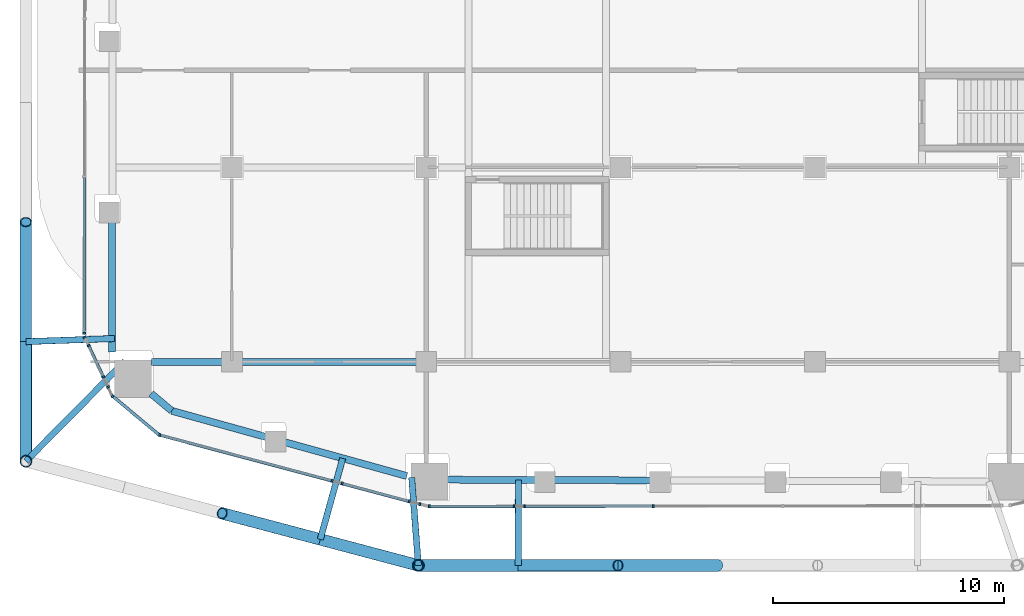
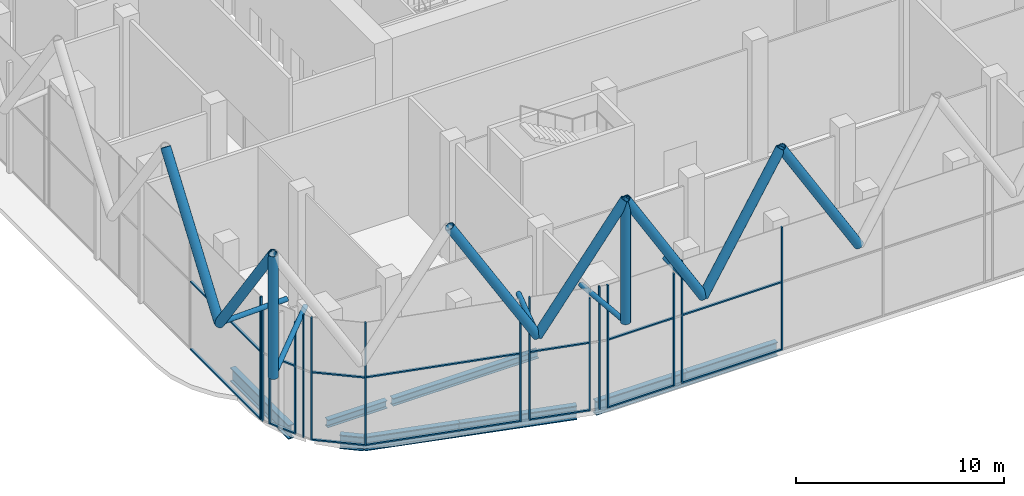
# One storey, part 2 of 34: 43 members, 8 beams, 14 elements without a shape of their own.
"""IFC4 building model written with IfcOpenShell, lengths in metres."""

from ifc_helpers import new_model, si_unit, direction, frame, origin, origin_2d, place, context, subcontext, project, spatial, rectangle, hollow_circle, i_section, extrude, material, layer, layer_set, material_profile, profile_set, type_object, element, aggregate, save


model = new_model("IFC4")

# Units and contexts
model_context = context("Model", 3, precision=1e-05, world=origin(), true_north=direction((0.0, 1.0)))
body_context = subcontext(model_context, "Body", "Model", "MODEL_VIEW")
ifc_project = project(units=[si_unit("LENGTHUNIT", "METRE"), si_unit("AREAUNIT", "SQUARE_METRE"), si_unit("VOLUMEUNIT", "CUBIC_METRE"), si_unit("PLANEANGLEUNIT", "RADIAN"), si_unit("MASSUNIT", "GRAM", prefix="KILO")], contexts=[model_context])

# Site, building, storey
site_placement = place(None, origin())
site = spatial("IfcSite", under=ifc_project, at=site_placement, CompositionType="ELEMENT")
building_placement = place(site_placement, origin())
building = spatial("IfcBuilding", under=site, at=building_placement, Name="Marenta Gate Hotel Tower", CompositionType="ELEMENT")
storey_placement = place(building_placement, frame((0.0, 0.0, 97.699951171875)))
storey = spatial("IfcBuildingStorey", under=building, at=storey_placement, Name="L21", CompositionType="ELEMENT", Elevation=97.699951171875)

# Members
ifc_material_1 = material(Name="Steel S355J2W", Category="steel")
ifc_material_profile_1 = material_profile(ifc_material_1, hollow_circle(Radius=0.25390625, WallThickness=0.02490234375, at=origin_2d()), Name="CHS 508x25")
ifc_profile_set_1 = profile_set([ifc_material_profile_1], Name="Steel S355J2W")
member_type_1 = type_object("IfcMemberType", Name="Diagrid corner post Z2 CHS 508x25", PredefinedType="POST", material=ifc_profile_set_1)
for number, where, z_axis, x_axis, name in (
    (1, (-12.93896484375, -25.60009765625, 6.739990234375), (0.0, 0.0, 1.0), (1.0, 0.0, 0.0), "L21-DR-4"),
    (2, (-29.89990234375, -21.10009765625, 6.739990234375), (0.0, 0.0, 1.0), (1.0, 0.0, 0.0), "L21-DR-5"),
):
    element("IfcMember", number, at=place(storey_placement, frame(where, z_axis=z_axis, x_axis=x_axis)), inside=storey, type_object=member_type_1, Name=name, PredefinedType="POST", context=body_context, shape_type="SweptSolid", body=[
        extrude(hollow_circle(Radius=0.25390625, WallThickness=0.02490234375, at=origin_2d()), origin(), (0.0, 0.0, 1.0), 7.199951171875),
    ])
ifc_material_2 = material(Name="Steel S355J2W", Category="steel")
ifc_material_profile_2 = material_profile(ifc_material_2, hollow_circle(Radius=0.25390625, WallThickness=0.0400390625, at=origin_2d()), Name="CHS 508x40")
ifc_profile_set_2 = profile_set([ifc_material_profile_2], Name="Steel S355J2W")
member_type_2 = type_object("IfcMemberType", Name="Diagrid diagonal Z2 CHS 508x40", PredefinedType="BRACE", material=ifc_profile_set_2)
for number, where, z_axis, x_axis, name in (
    (3, (0.0, -25.60009765625, 6.739990234375), (-0.513883902774, 0.0, 0.857859740558), (0.0, -1.0, 0.0), "L21-DG-18"),
    (4, (-8.6259765625, -25.60009765625, 6.739990234375), (0.513883902774, 0.0, 0.857859740558), (0.0, 1.0, 0.0), "L21-DG-19"),
    (5, (-8.6259765625, -25.60009765625, 6.739990234375), (-0.513883902774, 0.0, 0.857859740558), (0.0, -1.0, 0.0), "L21-DG-20"),
):
    element("IfcMember", number, at=place(storey_placement, frame(where, z_axis=z_axis, x_axis=x_axis)), inside=storey, type_object=member_type_2, Name=name, PredefinedType="BRACE", context=body_context, shape_type="SweptSolid", body=[
        extrude(hollow_circle(Radius=0.25390625, WallThickness=0.0400390625, at=origin_2d()), origin(), (0.0, 0.0, 1.0), 8.392822265625),
    ])
for number, where, z_axis, x_axis, name in (
    (6, (-17.17919921875, -24.47509765625, 6.739990234375), (0.502924018666, -0.133433548941, 0.853968921838), (0.256443187528, 0.96655930577, 0.0), "L21-DG-21"),
    (7, (-17.17919921875, -24.47509765625, 6.739990234375), (-0.502924018666, 0.133433548941, 0.853968921838), (-0.256443187528, -0.96655930577, 0.0), "L21-DG-22"),
):
    element("IfcMember", number, at=place(storey_placement, frame(where, z_axis=z_axis, x_axis=x_axis)), inside=storey, type_object=member_type_2, Name=name, PredefinedType="BRACE", context=body_context, shape_type="SweptSolid", body=[
        extrude(hollow_circle(Radius=0.25390625, WallThickness=0.0400390625, at=origin_2d()), origin(), (0.0, 0.0, 1.0), 8.43115234375),
    ])
member_1_placement = place(storey_placement, frame((-29.89990234375, -15.93017578125, 6.739990234375), z_axis=(0.0, -0.583260841117, 0.812284919975), x_axis=(1.0, 0.0, 0.0)))
element("IfcMember", 8, at=member_1_placement, inside=storey, type_object=member_type_2, Name="L21-DG-25", PredefinedType="BRACE", context=body_context, shape_type="SweptSolid", body=[
    extrude(hollow_circle(Radius=0.25390625, WallThickness=0.0400390625, at=origin_2d()), origin(), (0.0, 0.0, 1.0), 8.86376953125),
])
member_2_placement = place(storey_placement, frame((-29.89990234375, -15.93017578125, 6.739990234375), z_axis=(0.0, 0.583279014058, 0.812271870595), x_axis=(-1.0, 0.0, 0.0)))
element("IfcMember", 9, at=member_2_placement, inside=storey, type_object=member_type_2, Name="L21-DG-26", PredefinedType="BRACE", context=body_context, shape_type="SweptSolid", body=[
    extrude(hollow_circle(Radius=0.25390625, WallThickness=0.0400390625, at=origin_2d()), origin(), (0.0, 0.0, 1.0), 8.864013671875),
])

# Beams
ifc_material_3 = material(Name="Steel S355", Category="steel")
ifc_material_profile_3 = material_profile(ifc_material_3, i_section(OverallWidth=0.302978515625, OverallDepth=0.81396484375, WebThickness=0.030029296875, FlangeThickness=0.052001953125, FilletRadius=0.030029296875, at=origin_2d()), Name="HEM 800")
ifc_profile_set_3 = profile_set([ifc_material_profile_3], Name="Steel S355")
beam_type_1 = type_object("IfcBeamType", Name="Edge beam HEM 800", PredefinedType="SPANDREL", material=ifc_profile_set_3)
beam_1_placement = place(storey_placement, frame((-13.4365234375, -21.736572265625, -0.6669921875), z_axis=(-0.963628016524, 0.267247162324, 0.0), x_axis=(-0.267247162324, -0.963628016524, 0.0)))
element("IfcBeam", 10, at=beam_1_placement, inside=storey, type_object=beam_type_1, Name="L21-EB-1", PredefinedType="SPANDREL", context=body_context, shape_type="SweptSolid", body=[
    extrude(i_section(OverallWidth=0.302978515625, OverallDepth=0.81396484375, WebThickness=0.030029296875, FlangeThickness=0.052001953125, FilletRadius=0.030029296875, at=origin_2d()), origin(), (0.0, 0.0, 1.0), 5.904296875),
])
beam_2_placement = place(storey_placement, frame((-19.048828125, -20.18017578125, -0.6669921875), z_axis=(-0.96362084747, 0.267273010837, 0.0), x_axis=(-0.267273010837, -0.96362084747, 0.0)))
element("IfcBeam", 11, at=beam_2_placement, inside=storey, type_object=beam_type_1, Name="L21-EB-2", PredefinedType="SPANDREL", context=body_context, shape_type="SweptSolid", body=[
    extrude(i_section(OverallWidth=0.302978515625, OverallDepth=0.81396484375, WebThickness=0.030029296875, FlangeThickness=0.052001953125, FilletRadius=0.030029296875, at=origin_2d()), origin(), (0.0, 0.0, 1.0), 4.7197265625),
])
beam_3_placement = place(storey_placement, frame((-23.596923828125, -18.918701171875, -0.6669921875), z_axis=(-0.767073132856, 0.641559668972, 0.0), x_axis=(-0.641559668972, -0.767073132856, 0.0)))
element("IfcBeam", 12, at=beam_3_placement, inside=storey, type_object=beam_type_1, Name="L21-EB-3", PredefinedType="SPANDREL", context=body_context, shape_type="SweptSolid", body=[
    extrude(i_section(OverallWidth=0.302978515625, OverallDepth=0.81396484375, WebThickness=0.030029296875, FlangeThickness=0.052001953125, FilletRadius=0.030029296875, at=origin_2d()), origin(), (0.0, 0.0, 1.0), 1.1689453125),
])
beam_4_placement = place(storey_placement, frame((-26.17626953125, -16.382568359375, -0.6669921875), z_axis=(0.001389973464, 0.999999033986, 0.0), x_axis=(-0.999999033986, 0.001389973464, 0.0)))
element("IfcBeam", 13, at=beam_4_placement, inside=storey, type_object=beam_type_1, Name="L21-EB-4", PredefinedType="SPANDREL", context=body_context, shape_type="SweptSolid", body=[
    extrude(i_section(OverallWidth=0.302978515625, OverallDepth=0.81396484375, WebThickness=0.030029296875, FlangeThickness=0.052001953125, FilletRadius=0.030029296875, at=origin_2d()), origin(), (0.0, 0.0, 1.0), 5.62060546875),
])
beam_5_placement = place(storey_placement, frame((-2.453125, -21.9248046875, -0.6669921875), z_axis=(-0.9999947886, 0.003228432074, 0.0), x_axis=(-0.003228432074, -0.9999947886, 0.0)))
element("IfcBeam", 14, at=beam_5_placement, inside=storey, type_object=beam_type_1, Name="L21-EB-33", PredefinedType="SPANDREL", context=body_context, shape_type="SweptSolid", body=[
    extrude(i_section(OverallWidth=0.302978515625, OverallDepth=0.81396484375, WebThickness=0.030029296875, FlangeThickness=0.052001953125, FilletRadius=0.030029296875, at=origin_2d()), origin(), (0.0, 0.0, 1.0), 5.066650390625),
])
beam_6_placement = place(storey_placement, frame((-7.439697265625, -21.90869140625, -0.6669921875), z_axis=(-0.999994942514, 0.003180400261, 0.0), x_axis=(-0.003180400261, -0.999994942514, 0.0)))
element("IfcBeam", 15, at=beam_6_placement, inside=storey, type_object=beam_type_1, Name="L21-EB-34", PredefinedType="SPANDREL", context=body_context, shape_type="SweptSolid", body=[
    extrude(i_section(OverallWidth=0.302978515625, OverallDepth=0.81396484375, WebThickness=0.030029296875, FlangeThickness=0.052001953125, FilletRadius=0.030029296875, at=origin_2d()), origin(), (0.0, 0.0, 1.0), 5.06640625),
])

# Members
ifc_material_4 = material(Name="Steel S355J2W", Category="steel")
ifc_material_profile_4 = material_profile(ifc_material_4, hollow_circle(Radius=0.136474609375, WallThickness=0.012451171875, at=origin_2d()), Name="CHS 273x12.5")
ifc_profile_set_4 = profile_set([ifc_material_profile_4], Name="Steel S355J2W")
member_type_3 = type_object("IfcMemberType", Name="Floor tie CHS 273x12.5", PredefinedType="STRUT", material=ifc_profile_set_4)
member_3_placement = place(storey_placement, frame((-8.6259765625, -25.60009765625, 6.739990234375), z_axis=(0.003177318972, 0.999994952309, 0.0), x_axis=(-0.999994952309, 0.003177318972, 0.0)))
element("IfcMember", 16, at=member_3_placement, inside=storey, type_object=member_type_3, Name="L21-DR-15", PredefinedType="STRUT", context=body_context, shape_type="SweptSolid", body=[
    extrude(hollow_circle(Radius=0.136474609375, WallThickness=0.012451171875, at=origin_2d()), origin(), (0.0, 0.0, 1.0), 3.688232421875),
])
member_4_placement = place(storey_placement, frame((-12.93896484375, -25.60009765625, 6.739990234375), z_axis=(-0.075691735753, 0.997131265751, 0.0), x_axis=(-0.997131265751, -0.075691735753, 0.0)))
element("IfcMember", 17, at=member_4_placement, inside=storey, type_object=member_type_3, Name="L21-DR-16", PredefinedType="STRUT", context=body_context, shape_type="SweptSolid", body=[
    extrude(hollow_circle(Radius=0.136474609375, WallThickness=0.012451171875, at=origin_2d()), origin(), (0.0, 0.0, 1.0), 3.809326171875),
])
member_5_placement = place(storey_placement, frame((-17.17919921875, -24.47509765625, 6.739990234375), z_axis=(0.26723825199, 0.963630487621, 0.0), x_axis=(-0.963630487621, 0.26723825199, 0.0)))
element("IfcMember", 18, at=member_5_placement, inside=storey, type_object=member_type_3, Name="L21-DR-17", PredefinedType="STRUT", context=body_context, shape_type="SweptSolid", body=[
    extrude(hollow_circle(Radius=0.136474609375, WallThickness=0.012451171875, at=origin_2d()), origin(), (0.0, 0.0, 1.0), 3.63232421875),
])
member_6_placement = place(storey_placement, frame((-29.89990234375, -21.10009765625, 6.739990234375), z_axis=(0.703467207322, 0.710727717359, 0.0), x_axis=(-0.710727717359, 0.703467207322, 0.0)))
element("IfcMember", 19, at=member_6_placement, inside=storey, type_object=member_type_3, Name="L21-DR-18", PredefinedType="STRUT", context=body_context, shape_type="SweptSolid", body=[
    extrude(hollow_circle(Radius=0.136474609375, WallThickness=0.012451171875, at=origin_2d()), origin(), (0.0, 0.0, 1.0), 6.086181640625),
])
member_7_placement = place(storey_placement, frame((-29.89990234375, -15.93017578125, 6.739990234375), z_axis=(0.999365777603, 0.035609585179, 0.0), x_axis=(-0.035609585179, 0.999365777603, 0.0)))
element("IfcMember", 20, at=member_7_placement, inside=storey, type_object=member_type_3, Name="L21-DR-19", PredefinedType="STRUT", context=body_context, shape_type="SweptSolid", body=[
    extrude(hollow_circle(Radius=0.136474609375, WallThickness=0.012451171875, at=origin_2d()), origin(), (0.0, 0.0, 1.0), 3.82568359375),
])

# Beams
ifc_material_5 = material(Name="Steel S355", Category="steel")
ifc_material_profile_5 = material_profile(ifc_material_5, i_section(OverallWidth=0.300048828125, OverallDepth=0.449951171875, WebThickness=0.013916015625, FlangeThickness=0.02587890625, FilletRadius=0.027099609375, at=origin_2d()), Name="HEB 450")
ifc_profile_set_5 = profile_set([ifc_material_profile_5], Name="Steel S355")
beam_type_2 = type_object("IfcBeamType", Name="Girder HEB 450", PredefinedType="BEAM", material=ifc_profile_set_5)
beam_7_placement = place(storey_placement, frame((-24.462890625, -16.800048828125, -0.48486328125), z_axis=(1.0, 0.0, 0.0), x_axis=(0.0, 1.0, 0.0)))
element("IfcBeam", 21, at=beam_7_placement, inside=storey, type_object=beam_type_2, Name="L21-GD-1", PredefinedType="BEAM", context=body_context, shape_type="SweptSolid", body=[
    extrude(i_section(OverallWidth=0.300048828125, OverallDepth=0.449951171875, WebThickness=0.013916015625, FlangeThickness=0.02587890625, FilletRadius=0.027099609375, at=origin_2d()), origin(), (0.0, 0.0, 1.0), 3.311279296875),
])
beam_8_placement = place(storey_placement, frame((-20.848388671875, -16.800048828125, -0.48486328125), z_axis=(1.0, 0.0, 0.0), x_axis=(0.0, 1.0, 0.0)))
element("IfcBeam", 22, at=beam_8_placement, inside=storey, type_object=beam_type_2, Name="L21-GD-2", PredefinedType="BEAM", context=body_context, shape_type="SweptSolid", body=[
    extrude(i_section(OverallWidth=0.300048828125, OverallDepth=0.449951171875, WebThickness=0.013916015625, FlangeThickness=0.02587890625, FilletRadius=0.027099609375, at=origin_2d()), origin(), (0.0, 0.0, 1.0), 8.096923828125),
])

# Curtain wall, member
ifc_material_6 = material(Name="Tinted insulated glass in bronze anodised frame", Category="glass")
ifc_layer = layer(ifc_material_6, 0.1298828125)
ifc_layer_set = layer_set([ifc_layer], Name="Tinted insulated glass in bronze anodised frame")
curtain_wall_type = type_object("IfcCurtainWallType", Name="Sky lobby glazing CW2", PredefinedType="NOTDEFINED", material=ifc_layer_set)
curtain_wall_1_placement = place(storey_placement, origin())
curtain_wall_1 = element("IfcCurtainWall", 23, at=curtain_wall_1_placement, inside=storey, type_object=curtain_wall_type, Name="CW2 run G08", PredefinedType="NOTDEFINED")
ifc_material_7 = material(Name="Bronze anodised aluminium", Category="aluminium")
ifc_material_profile_6 = material_profile(ifc_material_7, rectangle(XDim=0.1298828125, YDim=0.080078125, at=origin_2d()), Name="Mullion CW2 80x130 bronze anodised aluminium")
ifc_profile_set_6 = profile_set([ifc_material_profile_6], Name="Bronze anodised aluminium")
member_type_4 = type_object("IfcMemberType", Name="Mullion CW2 80x130 bronze anodised aluminium", PredefinedType="MULLION", material=ifc_profile_set_6)
member_8_placement = place(storey_placement, frame((-27.3779296875, -15.573486328125, 0.0), z_axis=(0.0, 0.0, 1.0), x_axis=(0.999998775523, -0.001564912707, 0.0)))
member_8 = element("IfcMember", 24, at=member_8_placement, type_object=member_type_4, Name="CW2 mullion 4", PredefinedType="MULLION", context=body_context, shape_type="SweptSolid", body=[
    extrude(rectangle(XDim=0.1298828125, YDim=0.080078125, at=origin_2d()), origin(), (0.0, 0.0, 1.0), 7.199951171875),
])

curtain_wall_2_placement = place(storey_placement, origin())
curtain_wall_2 = element("IfcCurtainWall", 25, at=curtain_wall_2_placement, inside=storey, type_object=curtain_wall_type, Name="CW2 run G09", PredefinedType="NOTDEFINED")
member_9_placement = place(storey_placement, frame((-27.361083984375, -15.731201171875, 0.0), z_axis=(0.0, 0.0, 1.0), x_axis=(0.906043917281, 0.423183671659, 0.0)))
member_9 = element("IfcMember", 26, at=member_9_placement, type_object=member_type_4, Name="CW2 mullion 1", PredefinedType="MULLION", context=body_context, shape_type="SweptSolid", body=[
    extrude(rectangle(XDim=0.1298828125, YDim=0.080078125, at=origin_2d()), origin(), (0.0, 0.0, 1.0), 6.6005859375),
])
aggregate(curtain_wall_2, [member_9])

curtain_wall_3_placement = place(storey_placement, origin())
curtain_wall_3 = element("IfcCurtainWall", 27, at=curtain_wall_3_placement, inside=storey, type_object=curtain_wall_type, Name="CW2 run G10", PredefinedType="NOTDEFINED")
member_10_placement = place(storey_placement, frame((-27.190185546875, -16.096923828125, 0.0), z_axis=(0.0, 0.0, 1.0), x_axis=(0.905962880833, 0.423357128857, 0.0)))
member_10 = element("IfcMember", 28, at=member_10_placement, type_object=member_type_4, Name="CW2 mullion 1", PredefinedType="MULLION", context=body_context, shape_type="SweptSolid", body=[
    extrude(rectangle(XDim=0.1298828125, YDim=0.080078125, at=origin_2d()), origin(), (0.0, 0.0, 1.0), 7.199951171875),
])

curtain_wall_4_placement = place(storey_placement, origin())
curtain_wall_4 = element("IfcCurtainWall", 29, at=curtain_wall_4_placement, inside=storey, type_object=curtain_wall_type, Name="CW2 run G11", PredefinedType="NOTDEFINED")
member_11_placement = place(storey_placement, frame((-26.556396484375, -17.453369140625, 0.0), z_axis=(0.0, 0.0, 1.0), x_axis=(0.905960772222, 0.423361641148, 0.0)))
member_11 = element("IfcMember", 30, at=member_11_placement, type_object=member_type_4, Name="CW2 mullion 1", PredefinedType="MULLION", context=body_context, shape_type="SweptSolid", body=[
    extrude(rectangle(XDim=0.1298828125, YDim=0.080078125, at=origin_2d()), origin(), (0.0, 0.0, 1.0), 6.6005859375),
])
aggregate(curtain_wall_4, [member_11])

curtain_wall_5_placement = place(storey_placement, origin())
curtain_wall_5 = element("IfcCurtainWall", 31, at=curtain_wall_5_placement, inside=storey, type_object=curtain_wall_type, Name="CW2 run G12", PredefinedType="NOTDEFINED")
member_12_placement = place(storey_placement, frame((-26.35205078125, -17.890625, 0.0), z_axis=(0.0, 0.0, 1.0), x_axis=(0.905892353696, 0.423508020603, 0.0)))
member_12 = element("IfcMember", 32, at=member_12_placement, type_object=member_type_4, Name="CW2 mullion 1", PredefinedType="MULLION", context=body_context, shape_type="SweptSolid", body=[
    extrude(rectangle(XDim=0.1298828125, YDim=0.080078125, at=origin_2d()), origin(), (0.0, 0.0, 1.0), 7.199951171875),
])
aggregate(curtain_wall_5, [member_12])

curtain_wall_6_placement = place(storey_placement, origin())
curtain_wall_6 = element("IfcCurtainWall", 33, at=curtain_wall_6_placement, inside=storey, type_object=curtain_wall_type, Name="CW2 run G13", PredefinedType="NOTDEFINED")
member_13_placement = place(storey_placement, frame((-26.1484375, -18.286376953125, 0.0), z_axis=(0.0, 0.0, 1.0), x_axis=(0.641529646876, 0.767098241544, 0.0)))
member_13 = element("IfcMember", 34, at=member_13_placement, type_object=member_type_4, Name="CW2 mullion 1", PredefinedType="MULLION", context=body_context, shape_type="SweptSolid", body=[
    extrude(rectangle(XDim=0.1298828125, YDim=0.080078125, at=origin_2d()), origin(), (0.0, 0.0, 1.0), 7.199951171875),
])

curtain_wall_7_placement = place(storey_placement, origin())
curtain_wall_7 = element("IfcCurtainWall", 35, at=curtain_wall_7_placement, inside=storey, type_object=curtain_wall_type, Name="CW2 run G14", PredefinedType="NOTDEFINED")
member_14_placement = place(storey_placement, frame((-24.116943359375, -19.963134765625, 0.0), z_axis=(0.0, 0.0, 1.0), x_axis=(0.25713836611, 0.966374596455, 0.0)))
member_14 = element("IfcMember", 36, at=member_14_placement, type_object=member_type_4, Name="CW2 mullion 1", PredefinedType="MULLION", context=body_context, shape_type="SweptSolid", body=[
    extrude(rectangle(XDim=0.1298828125, YDim=0.080078125, at=origin_2d()), origin(), (0.0, 0.0, 1.0), 7.199951171875),
])

curtain_wall_8_placement = place(storey_placement, origin())
curtain_wall_8 = element("IfcCurtainWall", 37, at=curtain_wall_8_placement, inside=storey, type_object=curtain_wall_type, Name="CW2 run G15", PredefinedType="NOTDEFINED")
member_15_placement = place(storey_placement, frame((-16.6708984375, -21.9443359375, 0.0), z_axis=(0.0, 0.0, 1.0), x_axis=(0.257154287199, 0.966370359942, 0.0)))
member_15 = element("IfcMember", 38, at=member_15_placement, type_object=member_type_4, Name="CW2 mullion 1", PredefinedType="MULLION", context=body_context, shape_type="SweptSolid", body=[
    extrude(rectangle(XDim=0.1298828125, YDim=0.080078125, at=origin_2d()), origin(), (0.0, 0.0, 1.0), 6.6005859375),
])
aggregate(curtain_wall_8, [member_15])

curtain_wall_9_placement = place(storey_placement, origin())
curtain_wall_9 = element("IfcCurtainWall", 39, at=curtain_wall_9_placement, inside=storey, type_object=curtain_wall_type, Name="CW2 run G16", PredefinedType="NOTDEFINED")
member_16_placement = place(storey_placement, frame((-16.233154296875, -22.060791015625, 0.0), z_axis=(0.0, 0.0, 1.0), x_axis=(0.25714940223, 0.966371659835, 0.0)))
member_16 = element("IfcMember", 40, at=member_16_placement, type_object=member_type_4, Name="CW2 mullion 1", PredefinedType="MULLION", context=body_context, shape_type="SweptSolid", body=[
    extrude(rectangle(XDim=0.1298828125, YDim=0.080078125, at=origin_2d()), origin(), (0.0, 0.0, 1.0), 7.199951171875),
])

curtain_wall_10_placement = place(storey_placement, origin())
curtain_wall_10 = element("IfcCurtainWall", 41, at=curtain_wall_10_placement, inside=storey, type_object=curtain_wall_type, Name="CW2 run G17", PredefinedType="NOTDEFINED")
member_17_placement = place(storey_placement, frame((-13.33837890625, -22.831298828125, 0.0), z_axis=(0.0, 0.0, 1.0), x_axis=(0.257026845764, 0.966404263523, 0.0)))
member_17 = element("IfcMember", 42, at=member_17_placement, type_object=member_type_4, Name="CW2 mullion 1", PredefinedType="MULLION", context=body_context, shape_type="SweptSolid", body=[
    extrude(rectangle(XDim=0.1298828125, YDim=0.080078125, at=origin_2d()), origin(), (0.0, 0.0, 1.0), 6.6005859375),
])
aggregate(curtain_wall_10, [member_17])

curtain_wall_11_placement = place(storey_placement, origin())
curtain_wall_11 = element("IfcCurtainWall", 43, at=curtain_wall_11_placement, inside=storey, type_object=curtain_wall_type, Name="CW2 run G18", PredefinedType="NOTDEFINED")
member_18_placement = place(storey_placement, frame((-12.874755859375, -22.95458984375, 0.0), z_axis=(0.0, 0.0, 1.0), x_axis=(0.257204389139, 0.966357026263, 0.0)))
member_18 = element("IfcMember", 44, at=member_18_placement, type_object=member_type_4, Name="CW2 mullion 1", PredefinedType="MULLION", context=body_context, shape_type="SweptSolid", body=[
    extrude(rectangle(XDim=0.1298828125, YDim=0.080078125, at=origin_2d()), origin(), (0.0, 0.0, 1.0), 7.199951171875),
])
aggregate(curtain_wall_11, [member_18])

curtain_wall_12_placement = place(storey_placement, origin())
curtain_wall_12 = element("IfcCurtainWall", 45, at=curtain_wall_12_placement, inside=storey, type_object=curtain_wall_type, Name="CW2 run G19", PredefinedType="NOTDEFINED")
member_19_placement = place(storey_placement, frame((-12.466552734375, -23.052490234375, 0.0), z_axis=(0.0, 0.0, 1.0), x_axis=(-0.001365298271, 0.99999906798, 0.0)))
member_19 = element("IfcMember", 46, at=member_19_placement, type_object=member_type_4, Name="CW2 mullion 1", PredefinedType="MULLION", context=body_context, shape_type="SweptSolid", body=[
    extrude(rectangle(XDim=0.1298828125, YDim=0.080078125, at=origin_2d()), origin(), (0.0, 0.0, 1.0), 7.199951171875),
])

curtain_wall_13_placement = place(storey_placement, origin())
curtain_wall_13 = element("IfcCurtainWall", 47, at=curtain_wall_13_placement, inside=storey, type_object=curtain_wall_type, Name="CW2 run G20", PredefinedType="NOTDEFINED")
member_20_placement = place(storey_placement, frame((-8.80419921875, -23.04736328125, 0.0), z_axis=(0.0, 0.0, 1.0), x_axis=(-0.001324502144, 0.999999122847, 0.0)))
member_20 = element("IfcMember", 48, at=member_20_placement, type_object=member_type_4, Name="CW2 mullion 1", PredefinedType="MULLION", context=body_context, shape_type="SweptSolid", body=[
    extrude(rectangle(XDim=0.1298828125, YDim=0.080078125, at=origin_2d()), origin(), (0.0, 0.0, 1.0), 6.6005859375),
])
aggregate(curtain_wall_13, [member_20])

# Curtain wall, members
curtain_wall_14_placement = place(storey_placement, origin())
curtain_wall_14 = element("IfcCurtainWall", 49, at=curtain_wall_14_placement, inside=storey, type_object=curtain_wall_type, Name="CW2 run G21", PredefinedType="NOTDEFINED")
member_21_placement = place(storey_placement, frame((-8.351318359375, -23.046875, 0.0), z_axis=(0.0, 0.0, 1.0), x_axis=(-0.001363166999, 0.999999070887, 0.0)))
member_21 = element("IfcMember", 50, at=member_21_placement, type_object=member_type_4, Name="CW2 mullion 1", PredefinedType="MULLION", context=body_context, shape_type="SweptSolid", body=[
    extrude(rectangle(XDim=0.1298828125, YDim=0.080078125, at=origin_2d()), origin(), (0.0, 0.0, 1.0), 7.199951171875),
])
member_22_placement = place(storey_placement, frame((-2.79150390625, -23.039306640625, 0.0), z_axis=(0.0, 0.0, 1.0), x_axis=(-0.001363166999, 0.999999070887, 0.0)))
member_22 = element("IfcMember", 51, at=member_22_placement, type_object=member_type_4, Name="CW2 mullion 2", PredefinedType="MULLION", context=body_context, shape_type="SweptSolid", body=[
    extrude(rectangle(XDim=0.1298828125, YDim=0.080078125, at=origin_2d()), origin(), (0.0, 0.0, 1.0), 7.199951171875),
])

# Member
ifc_material_8 = material(Name="Bronze anodised aluminium", Category="aluminium")
ifc_material_profile_7 = material_profile(ifc_material_8, rectangle(XDim=0.1298828125, YDim=0.080078125, at=origin_2d()), Name="Transom CW2 80x130 bronze anodised aluminium")
ifc_profile_set_7 = profile_set([ifc_material_profile_7], Name="Bronze anodised aluminium")
member_type_5 = type_object("IfcMemberType", Name="Transom CW2 80x130 bronze anodised aluminium", PredefinedType="USERDEFINED", material=ifc_profile_set_7)
member_23_placement = place(storey_placement, frame((-27.3671875, -8.83740234375, 0.0400390625), z_axis=(-0.001567739068, -0.999998771096, 0.0), x_axis=(0.999998771096, -0.001567739068, 0.0)))
member_23 = element("IfcMember", 52, at=member_23_placement, type_object=member_type_5, Name="CW2 transom 3.1", ObjectType="TRANSOM", PredefinedType="USERDEFINED", context=body_context, shape_type="SweptSolid", body=[
    extrude(rectangle(XDim=0.1298828125, YDim=0.080078125, at=origin_2d()), origin(), (0.0, 0.0, 1.0), 6.6962890625),
])

member_24_placement = place(storey_placement, frame((-27.3671875, -8.83740234375, 4.0), z_axis=(-0.001567739068, -0.999998771096, 0.0), x_axis=(0.999998771096, -0.001567739068, 0.0)))
member_24 = element("IfcMember", 53, at=member_24_placement, type_object=member_type_5, Name="CW2 transom 3.2", ObjectType="TRANSOM", PredefinedType="USERDEFINED", context=body_context, shape_type="SweptSolid", body=[
    extrude(rectangle(XDim=0.1298828125, YDim=0.080078125, at=origin_2d()), origin(), (0.0, 0.0, 1.0), 6.6962890625),
])

aggregate(curtain_wall_1, [member_8, member_23, member_24])

member_25_placement = place(storey_placement, frame((-27.17333984375, -16.13330078125, 0.0400390625), z_axis=(0.42348901558, -0.905901238372, 0.0), x_axis=(0.905901238372, 0.42348901558, 0.0)))
member_25 = element("IfcMember", 54, at=member_25_placement, type_object=member_type_5, Name="CW2 transom 1.1", ObjectType="TRANSOM", PredefinedType="USERDEFINED", context=body_context, shape_type="SweptSolid", body=[
    extrude(rectangle(XDim=0.1298828125, YDim=0.080078125, at=origin_2d()), origin(), (0.0, 0.0, 1.0), 1.4169921875),
])

member_26_placement = place(storey_placement, frame((-27.17333984375, -16.13330078125, 4.0), z_axis=(0.42348901558, -0.905901238372, 0.0), x_axis=(0.905901238372, 0.42348901558, 0.0)))
member_26 = element("IfcMember", 55, at=member_26_placement, type_object=member_type_5, Name="CW2 transom 1.2", ObjectType="TRANSOM", PredefinedType="USERDEFINED", context=body_context, shape_type="SweptSolid", body=[
    extrude(rectangle(XDim=0.1298828125, YDim=0.080078125, at=origin_2d()), origin(), (0.0, 0.0, 1.0), 1.4169921875),
])

aggregate(curtain_wall_3, [member_10, member_25, member_26])

member_27_placement = place(storey_placement, frame((-26.11767578125, -18.31201171875, 0.0400390625), z_axis=(0.767077724254, -0.641554179282, 0.0), x_axis=(0.641554179282, 0.767077724254, 0.0)))
member_27 = element("IfcMember", 56, at=member_27_placement, type_object=member_type_5, Name="CW2 transom 1.1", ObjectType="TRANSOM", PredefinedType="USERDEFINED", context=body_context, shape_type="SweptSolid", body=[
    extrude(rectangle(XDim=0.1298828125, YDim=0.080078125, at=origin_2d()), origin(), (0.0, 0.0, 1.0), 2.5576171875),
])

member_28_placement = place(storey_placement, frame((-26.11767578125, -18.31201171875, 4.0), z_axis=(0.767077724254, -0.641554179282, 0.0), x_axis=(0.641554179282, 0.767077724254, 0.0)))
member_28 = element("IfcMember", 57, at=member_28_placement, type_object=member_type_5, Name="CW2 transom 1.2", ObjectType="TRANSOM", PredefinedType="USERDEFINED", context=body_context, shape_type="SweptSolid", body=[
    extrude(rectangle(XDim=0.1298828125, YDim=0.080078125, at=origin_2d()), origin(), (0.0, 0.0, 1.0), 2.5576171875),
])

aggregate(curtain_wall_6, [member_13, member_27, member_28])

member_29_placement = place(storey_placement, frame((-24.078369140625, -19.973388671875, 0.0400390625), z_axis=(0.966374561726, -0.257138496628, 0.0), x_axis=(0.257138496628, 0.966374561726, 0.0)))
member_29 = element("IfcMember", 58, at=member_29_placement, type_object=member_type_5, Name="CW2 transom 1.1", ObjectType="TRANSOM", PredefinedType="USERDEFINED", context=body_context, shape_type="SweptSolid", body=[
    extrude(rectangle(XDim=0.1298828125, YDim=0.080078125, at=origin_2d()), origin(), (0.0, 0.0, 1.0), 7.625),
])

member_30_placement = place(storey_placement, frame((-24.078369140625, -19.973388671875, 4.0), z_axis=(0.966374561726, -0.257138496628, 0.0), x_axis=(0.257138496628, 0.966374561726, 0.0)))
member_30 = element("IfcMember", 59, at=member_30_placement, type_object=member_type_5, Name="CW2 transom 1.2", ObjectType="TRANSOM", PredefinedType="USERDEFINED", context=body_context, shape_type="SweptSolid", body=[
    extrude(rectangle(XDim=0.1298828125, YDim=0.080078125, at=origin_2d()), origin(), (0.0, 0.0, 1.0), 7.625),
])

aggregate(curtain_wall_7, [member_14, member_29, member_30])

member_31_placement = place(storey_placement, frame((-16.194580078125, -22.0712890625, 0.0400390625), z_axis=(0.96639319452, -0.257068460894, 0.0), x_axis=(0.257068460894, 0.96639319452, 0.0)))
member_31 = element("IfcMember", 60, at=member_31_placement, type_object=member_type_5, Name="CW2 transom 1.1", ObjectType="TRANSOM", PredefinedType="USERDEFINED", context=body_context, shape_type="SweptSolid", body=[
    extrude(rectangle(XDim=0.1298828125, YDim=0.080078125, at=origin_2d()), origin(), (0.0, 0.0, 1.0), 2.91552734375),
])

member_32_placement = place(storey_placement, frame((-16.194580078125, -22.0712890625, 4.0), z_axis=(0.96639319452, -0.257068460894, 0.0), x_axis=(0.257068460894, 0.96639319452, 0.0)))
member_32 = element("IfcMember", 61, at=member_32_placement, type_object=member_type_5, Name="CW2 transom 1.2", ObjectType="TRANSOM", PredefinedType="USERDEFINED", context=body_context, shape_type="SweptSolid", body=[
    extrude(rectangle(XDim=0.1298828125, YDim=0.080078125, at=origin_2d()), origin(), (0.0, 0.0, 1.0), 2.91552734375),
])

aggregate(curtain_wall_9, [member_16, member_31, member_32])

member_33_placement = place(storey_placement, frame((-12.426513671875, -23.052490234375, 0.0400390625), z_axis=(0.999999071052, 0.001363046509, 0.0), x_axis=(-0.001363046509, 0.999999071052, 0.0)))
member_33 = element("IfcMember", 62, at=member_33_placement, type_object=member_type_5, Name="CW2 transom 1.1", ObjectType="TRANSOM", PredefinedType="USERDEFINED", context=body_context, shape_type="SweptSolid", body=[
    extrude(rectangle(XDim=0.1298828125, YDim=0.080078125, at=origin_2d()), origin(), (0.0, 0.0, 1.0), 3.582275390625),
])

member_34_placement = place(storey_placement, frame((-12.426513671875, -23.052490234375, 4.0), z_axis=(0.999999071052, 0.001363046509, 0.0), x_axis=(-0.001363046509, 0.999999071052, 0.0)))
member_34 = element("IfcMember", 63, at=member_34_placement, type_object=member_type_5, Name="CW2 transom 1.2", ObjectType="TRANSOM", PredefinedType="USERDEFINED", context=body_context, shape_type="SweptSolid", body=[
    extrude(rectangle(XDim=0.1298828125, YDim=0.080078125, at=origin_2d()), origin(), (0.0, 0.0, 1.0), 3.582275390625),
])

aggregate(curtain_wall_12, [member_19, member_33, member_34])

member_35_placement = place(storey_placement, frame((-8.311279296875, -23.046875, 0.0400390625), z_axis=(0.999999046208, 0.001381152615, 0.0), x_axis=(-0.001381152615, 0.999999046208, 0.0)))
member_35 = element("IfcMember", 64, at=member_35_placement, type_object=member_type_5, Name="CW2 transom 1.1", ObjectType="TRANSOM", PredefinedType="USERDEFINED", context=body_context, shape_type="SweptSolid", body=[
    extrude(rectangle(XDim=0.1298828125, YDim=0.080078125, at=origin_2d()), origin(), (0.0, 0.0, 1.0), 5.479736328125),
])

member_36_placement = place(storey_placement, frame((-8.311279296875, -23.046875, 4.0), z_axis=(0.999999046208, 0.001381152615, 0.0), x_axis=(-0.001381152615, 0.999999046208, 0.0)))
member_36 = element("IfcMember", 65, at=member_36_placement, type_object=member_type_5, Name="CW2 transom 1.2", ObjectType="TRANSOM", PredefinedType="USERDEFINED", context=body_context, shape_type="SweptSolid", body=[
    extrude(rectangle(XDim=0.1298828125, YDim=0.080078125, at=origin_2d()), origin(), (0.0, 0.0, 1.0), 5.479736328125),
])

aggregate(curtain_wall_14, [member_21, member_22, member_35, member_36])

save(model, "model.ifc")
